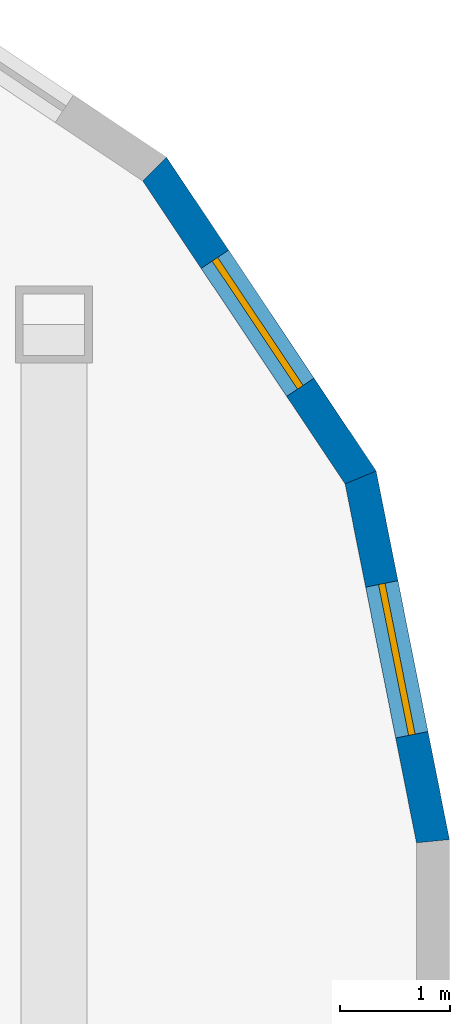
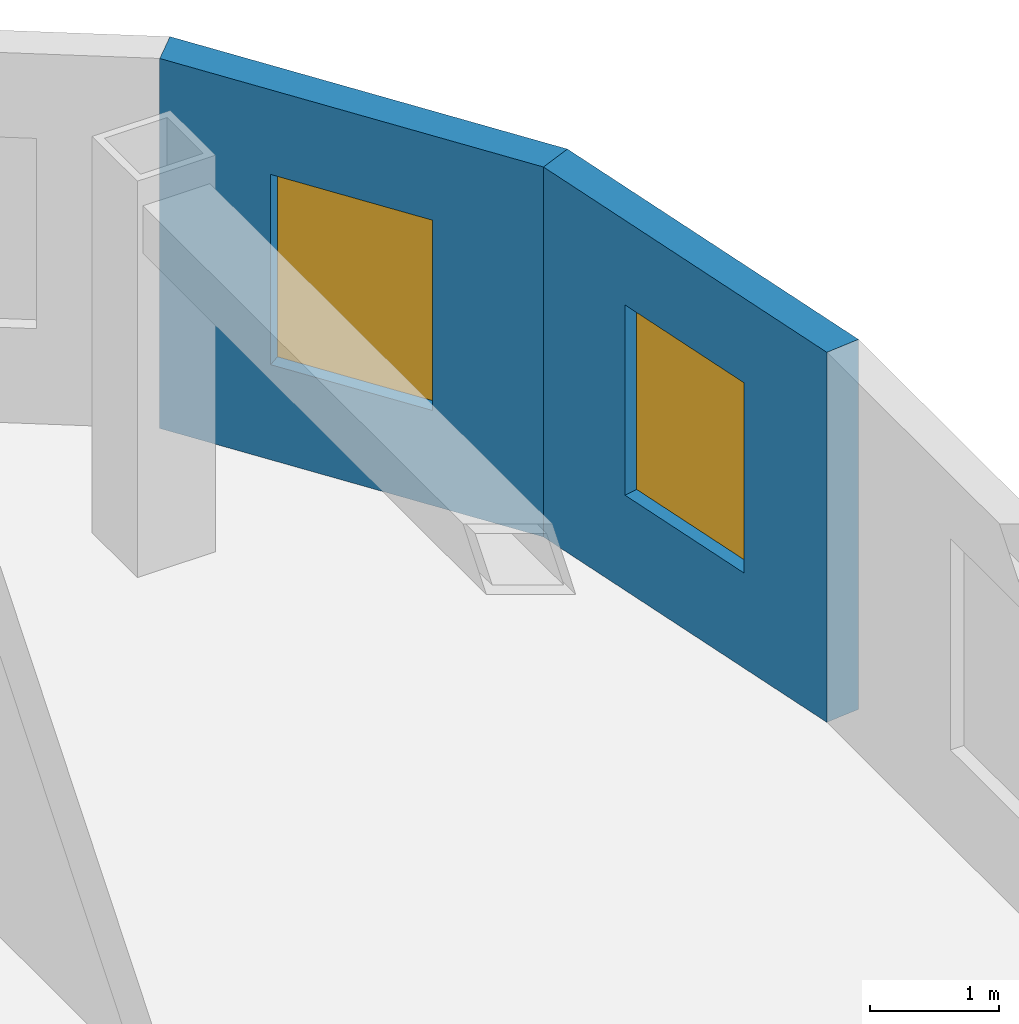
# One storey, part 18 of 23: 2 walls, 2 windows, 2 openings.
"""IFC4 building model written with IfcOpenShell, lengths in metres."""

from ifc_helpers import new_model, si_unit, direction, frame, frame_2d, origin, place, context, subcontext, project, spatial, polyline, rectangle, outline, extrude, material, layer, layer_set, type_object, element, fill, save


model = new_model("IFC4")

# Units and contexts
model_context = context("Model", 3, precision=1e-05, world=origin(), true_north=direction((0.0, 1.0)))
body_context = subcontext(model_context, "Body", "Model", "MODEL_VIEW")
ifc_project = project(units=[si_unit("LENGTHUNIT", "METRE"), si_unit("AREAUNIT", "SQUARE_METRE"), si_unit("VOLUMEUNIT", "CUBIC_METRE"), si_unit("PLANEANGLEUNIT", "RADIAN"), si_unit("MASSUNIT", "GRAM", prefix="KILO")], contexts=[model_context])

# Site, building, storey
site_placement = place(None, origin())
site = spatial("IfcSite", under=ifc_project, at=site_placement, CompositionType="ELEMENT")
building_placement = place(site_placement, origin())
building = spatial("IfcBuilding", under=site, at=building_placement, Name="Orbita Commons", CompositionType="ELEMENT")
storey_placement = place(building_placement, frame((0.0, 0.0, 171.10009765625)))
storey = spatial("IfcBuildingStorey", under=building, at=storey_placement, Name="L42", CompositionType="ELEMENT", Elevation=171.10009765625)

# Wall, opening, window
ifc_material_1 = material(Name="Precast concrete C40/50, white board-marked finish", Category="concrete")
ifc_layer = layer(ifc_material_1, 0.300048828125)
ifc_layer_set = layer_set([ifc_layer], Name="Precast concrete C40/50, white board-marked finish")
wall_type = type_object("IfcWallType", Name="Precast concrete end shield 300", PredefinedType="SOLIDWALL", material=ifc_layer_set)
wall_1_placement = place(storey_placement, frame((75.449951171875, 45.39990234375, 0.0), z_axis=(0.0, 0.0, 1.0), x_axis=(-0.19508664885, 0.980786011034, 0.0)))
wall_1 = element("IfcWall", 1, at=wall_1_placement, inside=storey, type_object=wall_type, Name="End shield NE chord 1 L42", PredefinedType="SOLIDWALL", context=body_context, shape_type="SweptSolid", body=[
    extrude(outline(polyline([(-0.014892578125, -0.14990234375), (3.405029296875, -0.14990234375), (3.345458984375, 0.14990234375), (0.014892578125, 0.14990234375), (-0.014892578125, -0.14990234375)])), origin(), (0.0, 0.0, 1.0), 3.5),
])
opening_1_placement = place(wall_1_placement, frame((0.987548828125, 0.0, 0.89990234375)))
opening_1 = element("IfcOpeningElement", 2, at=opening_1_placement, cuts=wall_1, Name="Opening W02", PredefinedType="OPENING", context=body_context, shape_type="SweptSolid", body=[
    extrude(rectangle(XDim=1.39990234375, YDim=1.800048828125, at=frame_2d((0.699951171875, 0.89990234375))), frame((0.0, 0.159912109375, 0.0), z_axis=(0.0, -1.0, 0.0), x_axis=(1.0, 0.0, 0.0)), (0.0, 0.0, 1.0), 0.320068359375),
])
ifc_material_2 = material(Name="Aluminium frame, clear double glazing", Category="aluminium")
window_type = type_object("IfcWindowType", Name="Deep-set window 1400x1800", PartitioningType="SINGLE_PANEL", PredefinedType="WINDOW", material=ifc_material_2)
window_1_placement = place(opening_1_placement, origin())
window_1 = element("IfcWindow", 3, at=window_1_placement, inside=storey, type_object=window_type, Name="Window L42-NE0", OverallHeight=1.800048828125, OverallWidth=1.39990234375, PartitioningType="SINGLE_PANEL", PredefinedType="WINDOW", context=body_context, shape_type="SweptSolid", body=[
    extrude(rectangle(XDim=1.39990234375, YDim=1.800048828125, at=frame_2d((0.699951171875, 0.89990234375))), frame((0.0, 0.030029296875, 0.0), z_axis=(0.0, -1.0, 0.0), x_axis=(1.0, 0.0, 0.0)), (0.0, 0.0, 1.0), 0.06005859375),
])
fill(opening_1, window_1)

wall_2_placement = place(storey_placement, frame((74.79150390625, 48.710205078125, 0.0), z_axis=(0.0, 0.0, 1.0), x_axis=(-0.555534554399, 0.831493450887, 0.0)))
wall_2 = element("IfcWall", 4, at=wall_2_placement, inside=storey, type_object=wall_type, Name="End shield NE chord 2 L42", PredefinedType="SOLIDWALL", context=body_context, shape_type="SweptSolid", body=[
    extrude(outline(polyline([(-0.02978515625, -0.14990234375), (3.405029296875, -0.14990234375), (3.345458984375, 0.14990234375), (0.02978515625, 0.14990234375), (-0.02978515625, -0.14990234375)])), origin(), (0.0, 0.0, 1.0), 3.5),
])
opening_2_placement = place(wall_2_placement, frame((0.987548828125, 0.0, 0.89990234375)))
opening_2 = element("IfcOpeningElement", 5, at=opening_2_placement, cuts=wall_2, Name="Opening W02", PredefinedType="OPENING", context=body_context, shape_type="SweptSolid", body=[
    extrude(rectangle(XDim=1.39990234375, YDim=1.800048828125, at=frame_2d((0.699951171875, 0.89990234375))), frame((0.0, 0.159912109375, 0.0), z_axis=(0.0, -1.0, 0.0), x_axis=(1.0, 0.0, 0.0)), (0.0, 0.0, 1.0), 0.320068359375),
])
window_2_placement = place(opening_2_placement, origin())
window_2 = element("IfcWindow", 6, at=window_2_placement, inside=storey, type_object=window_type, Name="Window L42-NE1", OverallHeight=1.800048828125, OverallWidth=1.39990234375, PartitioningType="SINGLE_PANEL", PredefinedType="WINDOW", context=body_context, shape_type="SweptSolid", body=[
    extrude(rectangle(XDim=1.39990234375, YDim=1.800048828125, at=frame_2d((0.699951171875, 0.89990234375))), frame((0.0, 0.030029296875, 0.0), z_axis=(0.0, -1.0, 0.0), x_axis=(1.0, 0.0, 0.0)), (0.0, 0.0, 1.0), 0.06005859375),
])
fill(opening_2, window_2)

save(model, "model.ifc")
